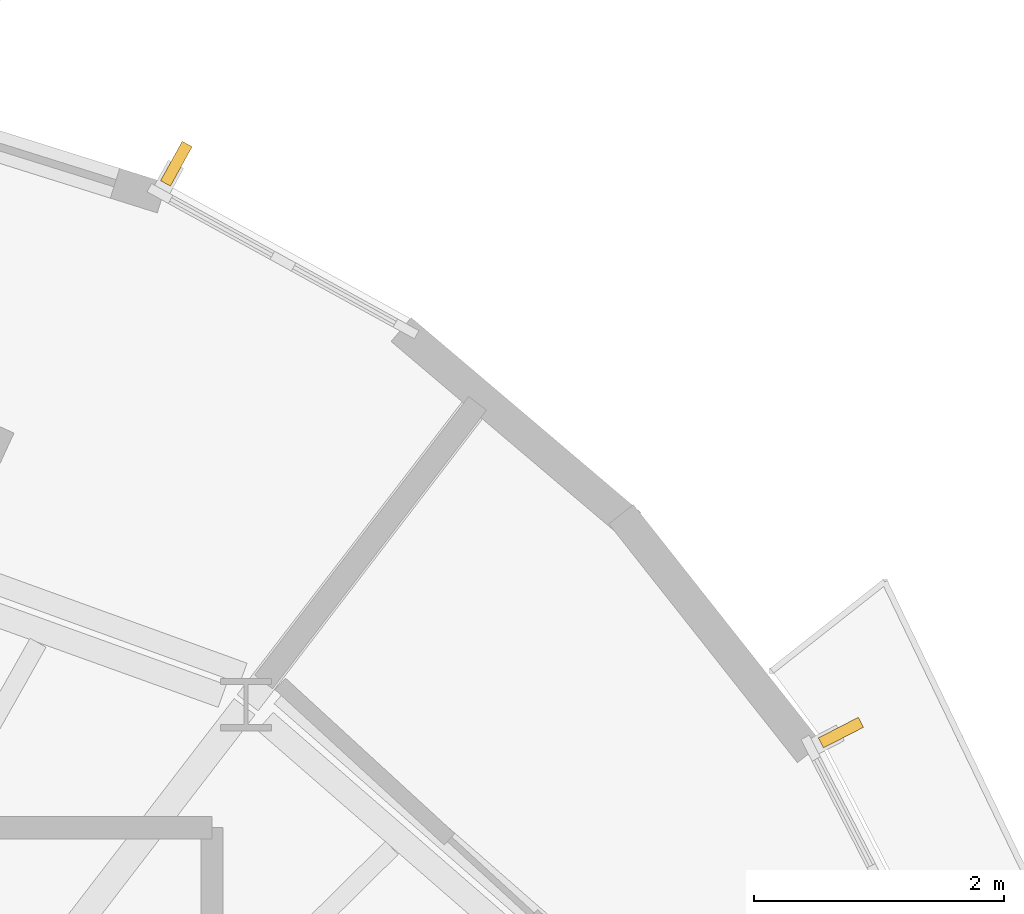
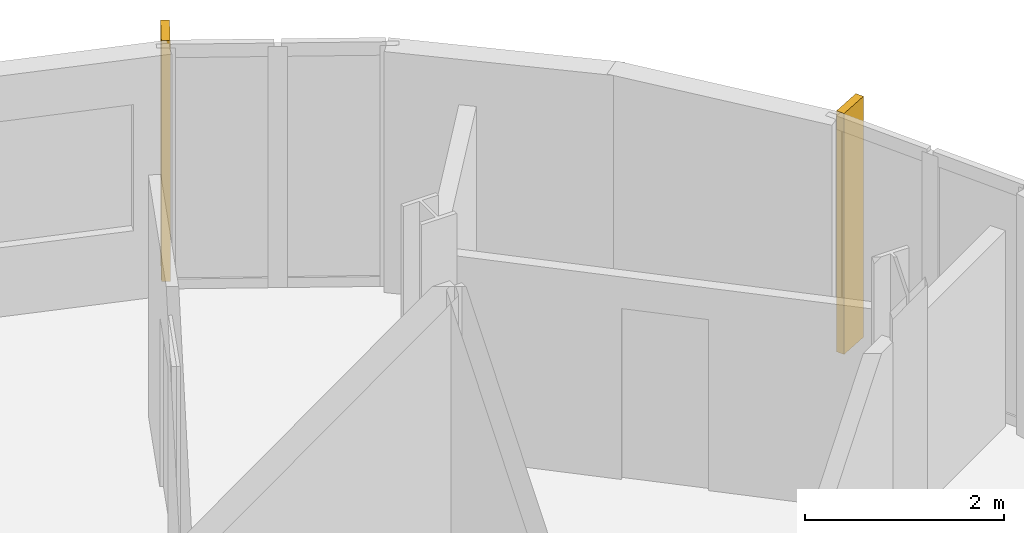
# One storey, part 11 of 11: 2 shading devices.
"""IFC4 building model written with IfcOpenShell, lengths in metres."""

from ifc_helpers import new_model, si_unit, direction, frame, origin, origin_2d, place, context, subcontext, project, spatial, rectangle, extrude, material, layer, layer_set, type_object, element, save


model = new_model("IFC4")

# Units and contexts
model_context = context("Model", 3, precision=1e-05, world=origin(), true_north=direction((0.0, 1.0)))
body_context = subcontext(model_context, "Body", "Model", "MODEL_VIEW")
ifc_project = project(units=[si_unit("LENGTHUNIT", "METRE"), si_unit("AREAUNIT", "SQUARE_METRE"), si_unit("VOLUMEUNIT", "CUBIC_METRE"), si_unit("PLANEANGLEUNIT", "RADIAN"), si_unit("MASSUNIT", "GRAM", prefix="KILO")], contexts=[model_context])

# Site, building, storey
site_placement = place(None, origin())
site = spatial("IfcSite", under=ifc_project, at=site_placement, CompositionType="ELEMENT")
building_placement = place(site_placement, origin())
building = spatial("IfcBuilding", under=site, at=building_placement, Name="Veldorim Arch Residences", CompositionType="ELEMENT")
storey_placement = place(building_placement, frame((0.0, 0.0, 223.840087890625)))
storey = spatial("IfcBuildingStorey", under=building, at=storey_placement, Name="L67", CompositionType="ELEMENT", Elevation=223.840087890625)

# Shading devices
ifc_material = material(Name="Terracotta Ceramic", Category="masonry")
ifc_layer = layer(ifc_material, 0.090087890625, Name="Vertical Extruded Terracotta Baguette Sun-Shading Fin")
ifc_layer_set = layer_set([ifc_layer], Name="Terracotta Ceramic")
shading_device_type = type_object("IfcShadingDeviceType", Name="Vertical Extruded Terracotta Baguette Sun-Shading Fin", PredefinedType="USERDEFINED", material=ifc_layer_set)
for number, where, z_axis, x_axis, name in (
    (1, (38.7744140625, 37.878662109375, 0.0), (0.0, 0.0, 1.0), (0.876222584819, -0.481906611132, 0.0), "L67 vertical terracotta sun-shading fin 01"),
    (2, (44.09765625, 33.321533203125, 0.0), (0.0, 0.0, 1.0), (0.457718745382, -0.889097042019, 0.0), "L67 vertical terracotta sun-shading fin 34"),
):
    element("IfcShadingDevice", number, at=place(storey_placement, frame(where, z_axis=z_axis, x_axis=x_axis)), inside=storey, type_object=shading_device_type, Name=name, ObjectType="FIN", PredefinedType="USERDEFINED", context=body_context, shape_type="SweptSolid", body=[
        extrude(rectangle(XDim=0.090087890625, YDim=0.360107421875, at=origin_2d()), origin(), (0.0, 0.0, 1.0), 2.9599609375),
    ])

save(model, "model.ifc")
